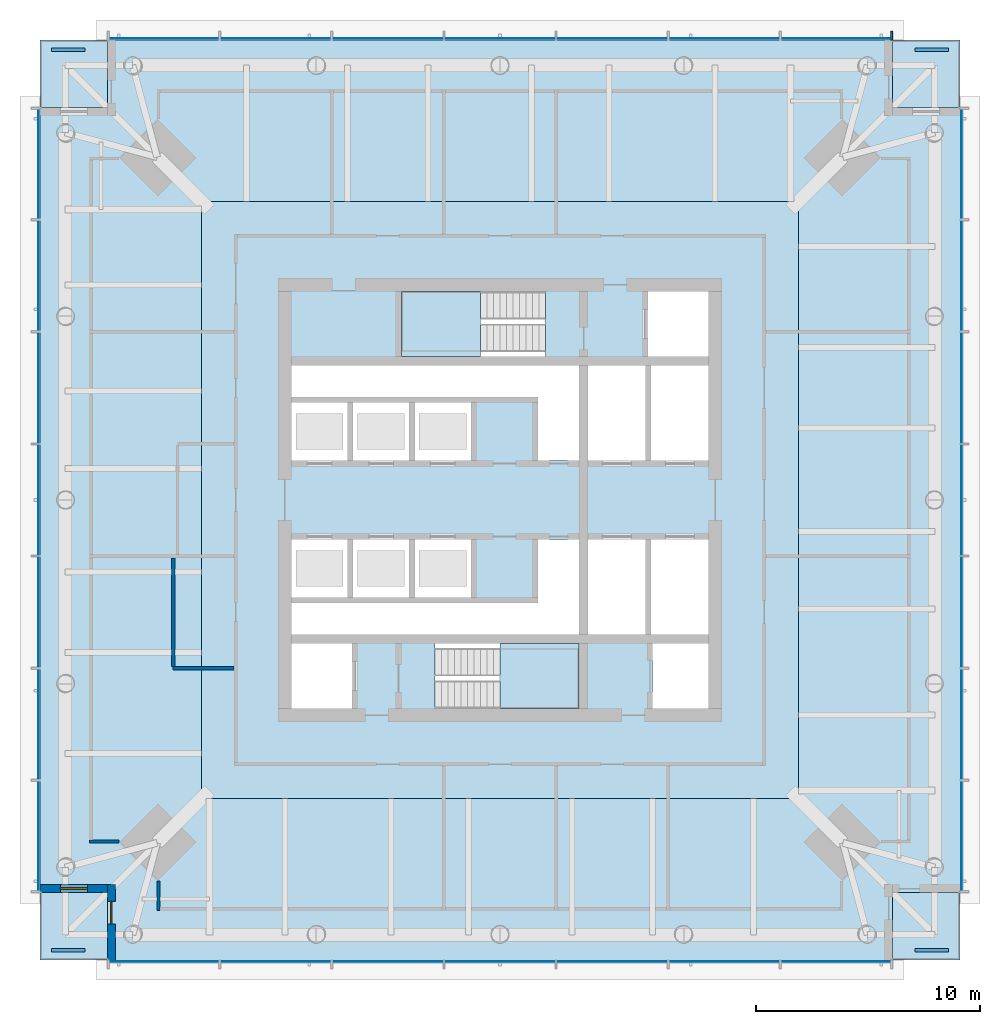
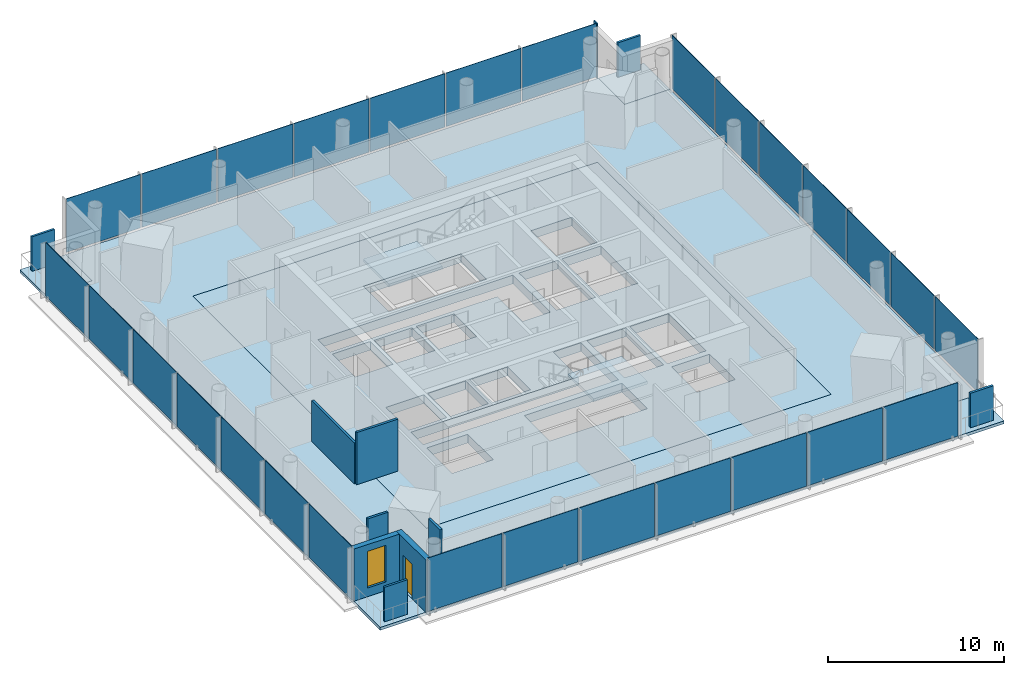
# One storey, part 3 of 12: 32 plates, 8 slabs, 6 walls, 1 door, 1 member, 1 window, 2 openings, 6 elements without a shape of their own.
"""IFC4 building model written with IfcOpenShell, lengths in metres."""

from ifc_helpers import new_model, si_unit, direction, frame, frame_2d, origin, origin_2d, place, context, subcontext, project, spatial, polyline, rectangle, outline, extrude, material, layer, layer_set, material_profile, profile_set, type_object, element, fill, aggregate, save


model = new_model("IFC4")

# Units and contexts
model_context = context("Model", 3, precision=1e-05, world=origin(), true_north=direction((0.0, 1.0)))
body_context = subcontext(model_context, "Body", "Model", "MODEL_VIEW")
ifc_project = project(units=[si_unit("LENGTHUNIT", "METRE"), si_unit("AREAUNIT", "SQUARE_METRE"), si_unit("VOLUMEUNIT", "CUBIC_METRE"), si_unit("PLANEANGLEUNIT", "RADIAN"), si_unit("MASSUNIT", "GRAM", prefix="KILO")], contexts=[model_context])

# Site, building, storey
site_placement = place(None, origin())
site = spatial("IfcSite", under=ifc_project, at=site_placement, CompositionType="ELEMENT")
building_placement = place(site_placement, origin())
building = spatial("IfcBuilding", under=site, at=building_placement, Name="Ostroluk Exchange", CompositionType="ELEMENT")
storey_placement = place(building_placement, frame((0.0, 0.0, 165.39990234375)))
storey = spatial("IfcBuildingStorey", under=building, at=storey_placement, Name="L42", CompositionType="ELEMENT", Elevation=165.39990234375)

# Curtain wall, member
ifc_material_1 = material(Name="Laminated clear glass", Category="glass")
curtain_wall_type = type_object("IfcCurtainWallType", Name="Office tower plant and sky lobby facade", PredefinedType="USERDEFINED", material=ifc_material_1)
curtain_wall_1_placement = place(storey_placement, origin())
curtain_wall_1 = element("IfcCurtainWall", 1, at=curtain_wall_1_placement, inside=storey, type_object=curtain_wall_type, Name="Office tower north facade L42", ObjectType="LOUVRED CURTAIN WALL", PredefinedType="USERDEFINED")
ifc_material_2 = material(Name="Aluminium mullion with limestone facing", Category="masonry")
ifc_material_profile = material_profile(ifc_material_2, rectangle(XDim=0.39990234375, YDim=0.080078125, at=origin_2d()), Name="Tracery mullion 80 x 400")
ifc_profile_set = profile_set([ifc_material_profile], Name="Aluminium mullion with limestone facing")
member_type = type_object("IfcMemberType", Name="Tracery mullion 80 x 400", PredefinedType="MULLION", material=ifc_profile_set)
member_placement = place(storey_placement, frame((62.4599609375, 66.699951171875, 0.0), z_axis=(0.0, 0.0, 1.0), x_axis=(0.0, -1.0, 0.0)))
member = element("IfcMember", 2, at=member_placement, type_object=member_type, Name="CW-P1 mullion 1", PredefinedType="MULLION", context=body_context, shape_type="SweptSolid", body=[
    extrude(rectangle(XDim=0.39990234375, YDim=0.080078125, at=origin_2d()), origin(), (0.0, 0.0, 1.0), 3.800048828125),
])

# Slabs
ifc_material_3 = material(Name="Concrete C35/45", Category="concrete")
ifc_layer_1 = layer(ifc_material_3, 0.199951171875)
ifc_layer_set_1 = layer_set([ifc_layer_1], Name="Balcony slab 200")
slab_type_1 = type_object("IfcSlabType", Name="Balcony slab 200", PredefinedType="USERDEFINED", material=ifc_layer_set_1)
slab_1_placement = place(storey_placement, frame((0.0, 0.0, -0.199951171875)))
element("IfcSlab", 3, at=slab_1_placement, inside=storey, type_object=slab_type_1, Name="Office tower SE corner balcony L42", ObjectType="BALCONY", PredefinedType="USERDEFINED", context=body_context, shape_type="SweptSolid", body=[
    extrude(outline(polyline([(62.5, 25.5), (65.5, 25.5), (65.5, 28.5), (62.5, 28.5), (62.5, 25.5)])), origin(), (0.0, 0.0, 1.0), 0.199951171875),
])
slab_2_placement = place(storey_placement, frame((0.0, 0.0, -0.199951171875)))
element("IfcSlab", 4, at=slab_2_placement, inside=storey, type_object=slab_type_1, Name="Office tower NE corner balcony L42", ObjectType="BALCONY", PredefinedType="USERDEFINED", context=body_context, shape_type="SweptSolid", body=[
    extrude(outline(polyline([(62.5, 63.5), (65.5, 63.5), (65.5, 66.5), (62.5, 66.5), (62.5, 63.5)])), origin(), (0.0, 0.0, 1.0), 0.199951171875),
])
slab_3_placement = place(storey_placement, frame((0.0, 0.0, -0.199951171875)))
element("IfcSlab", 5, at=slab_3_placement, inside=storey, type_object=slab_type_1, Name="Office tower NW corner balcony L42", ObjectType="BALCONY", PredefinedType="USERDEFINED", context=body_context, shape_type="SweptSolid", body=[
    extrude(outline(polyline([(24.5, 63.5), (27.5, 63.5), (27.5, 66.5), (24.5, 66.5), (24.5, 63.5)])), origin(), (0.0, 0.0, 1.0), 0.199951171875),
])
slab_4_placement = place(storey_placement, frame((0.0, 0.0, -0.199951171875)))
element("IfcSlab", 6, at=slab_4_placement, inside=storey, type_object=slab_type_1, Name="Office tower SW corner balcony L42", ObjectType="BALCONY", PredefinedType="USERDEFINED", context=body_context, shape_type="SweptSolid", body=[
    extrude(outline(polyline([(24.5, 25.5), (27.5, 25.5), (27.5, 28.5), (24.5, 28.5), (24.5, 25.5)])), origin(), (0.0, 0.0, 1.0), 0.199951171875),
])
ifc_material_4 = material(Name="Concrete C35/45", Category="concrete")
ifc_layer_2 = layer(ifc_material_4, 0.60009765625)
ifc_layer_set_2 = layer_set([ifc_layer_2], Name="Core transfer slab 600")
slab_type_2 = type_object("IfcSlabType", Name="Core transfer slab 600", PredefinedType="FLOOR", material=ifc_layer_set_2)
slab_5_placement = place(storey_placement, frame((0.0, 0.0, -0.599853515625)))
element("IfcSlab", 7, at=slab_5_placement, inside=storey, type_object=slab_type_2, Name="Office tower core transfer slab L42", PredefinedType="FLOOR", context=body_context, shape_type="SweptSolid", body=[
    extrude(outline(polyline([(31.699951171875, 32.699951171875), (58.300048828125, 32.699951171875), (58.300048828125, 59.300048828125), (31.699951171875, 59.300048828125), (31.699951171875, 32.699951171875)]), holes=[polyline([(35.699951171875, 36.699951171875), (38.39990234375, 36.699951171875), (38.39990234375, 39.60009765625), (35.699951171875, 39.60009765625), (35.699951171875, 36.699951171875)]), polyline([(42.110107421875, 36.699951171875), (48.530029296875, 36.699951171875), (48.530029296875, 39.60009765625), (42.110107421875, 39.60009765625), (42.110107421875, 36.699951171875)]), polyline([(51.800048828125, 36.699951171875), (54.300048828125, 36.699951171875), (54.300048828125, 39.60009765625), (51.800048828125, 39.60009765625), (51.800048828125, 36.699951171875)]), polyline([(40.60009765625, 52.39990234375), (47.02001953125, 52.39990234375), (47.02001953125, 55.300048828125), (40.60009765625, 55.300048828125), (40.60009765625, 52.39990234375)]), polyline([(51.60009765625, 52.39990234375), (54.300048828125, 52.39990234375), (54.300048828125, 55.300048828125), (51.60009765625, 55.300048828125), (51.60009765625, 52.39990234375)]), polyline([(35.699951171875, 47.75), (38.199951171875, 47.75), (38.199951171875, 50.35009765625), (35.699951171875, 50.35009765625), (35.699951171875, 47.75)]), polyline([(38.449951171875, 47.75), (40.949951171875, 47.75), (40.949951171875, 50.35009765625), (38.449951171875, 50.35009765625), (38.449951171875, 47.75)]), polyline([(41.199951171875, 47.75), (43.699951171875, 47.75), (43.699951171875, 50.35009765625), (41.199951171875, 50.35009765625), (41.199951171875, 47.75)]), polyline([(35.699951171875, 41.64990234375), (38.199951171875, 41.64990234375), (38.199951171875, 44.25), (35.699951171875, 44.25), (35.699951171875, 41.64990234375)]), polyline([(38.449951171875, 41.64990234375), (40.949951171875, 41.64990234375), (40.949951171875, 44.25), (38.449951171875, 44.25), (38.449951171875, 41.64990234375)]), polyline([(41.199951171875, 41.64990234375), (43.699951171875, 41.64990234375), (43.699951171875, 44.25), (41.199951171875, 44.25), (41.199951171875, 41.64990234375)]), polyline([(48.929931640625, 47.75), (51.489990234375, 47.75), (51.489990234375, 52.0), (48.929931640625, 52.0), (48.929931640625, 47.75)]), polyline([(51.739990234375, 47.75), (54.300048828125, 47.75), (54.300048828125, 52.0), (51.739990234375, 52.0), (51.739990234375, 47.75)]), polyline([(48.929931640625, 40.0), (51.489990234375, 40.0), (51.489990234375, 44.25), (48.929931640625, 44.25), (48.929931640625, 40.0)]), polyline([(51.739990234375, 40.0), (54.300048828125, 40.0), (54.300048828125, 44.25), (51.739990234375, 44.25), (51.739990234375, 40.0)]), polyline([(48.530029296875, 52.0), (48.530029296875, 47.75), (46.699951171875, 47.75), (46.699951171875, 50.60009765625), (35.699951171875, 50.60009765625), (35.699951171875, 52.0), (48.530029296875, 52.0)]), polyline([(35.699951171875, 40.0), (35.699951171875, 41.39990234375), (46.699951171875, 41.39990234375), (46.699951171875, 44.25), (48.530029296875, 44.25), (48.530029296875, 40.0), (35.699951171875, 40.0)])]), origin(), (0.0, 0.0, 1.0), 0.599853515625),
])

# Curtain wall, plates
curtain_wall_2_placement = place(storey_placement, origin())
curtain_wall_2 = element("IfcCurtainWall", 8, at=curtain_wall_2_placement, inside=storey, type_object=curtain_wall_type, Name="Office tower south facade L42", ObjectType="LOUVRED CURTAIN WALL", PredefinedType="USERDEFINED")
ifc_material_5 = material(Name="Laminated clear glass", Category="glass")
ifc_layer_3 = layer(ifc_material_5, 0.035888671875)
ifc_layer_set_3 = layer_set([ifc_layer_3], Name="Double laminated clear glazing 36")
plate_type_1 = type_object("IfcPlateType", Name="Double laminated clear glazing 36", PredefinedType="CURTAIN_PANEL", material=ifc_layer_set_3)
plate_1_placement = place(storey_placement, frame((30.02001953125, 25.425048828125, 0.080078125), z_axis=(0.0, 0.0, 1.0), x_axis=(1.0, 0.0, 0.0)))
plate_1 = element("IfcPlate", 9, at=plate_1_placement, type_object=plate_type_1, Name="CW-P1 panel 1.1", PredefinedType="CURTAIN_PANEL", context=body_context, shape_type="SweptSolid", body=[
    extrude(rectangle(XDim=4.8798828125, YDim=0.035888671875, at=origin_2d()), origin(), (0.0, 0.0, 1.0), 3.719970703125),
])
plate_2_placement = place(storey_placement, frame((35.0, 25.425048828125, 0.080078125), z_axis=(0.0, 0.0, 1.0), x_axis=(1.0, 0.0, 0.0)))
plate_2 = element("IfcPlate", 10, at=plate_2_placement, type_object=plate_type_1, Name="CW-P1 panel 2.1", PredefinedType="CURTAIN_PANEL", context=body_context, shape_type="SweptSolid", body=[
    extrude(rectangle(XDim=4.919921875, YDim=0.035888671875, at=origin_2d()), origin(), (0.0, 0.0, 1.0), 3.719970703125),
])
plate_3_placement = place(storey_placement, frame((40.0, 25.425048828125, 0.080078125), z_axis=(0.0, 0.0, 1.0), x_axis=(1.0, 0.0, 0.0)))
plate_3 = element("IfcPlate", 11, at=plate_3_placement, type_object=plate_type_1, Name="CW-P1 panel 3.1", PredefinedType="CURTAIN_PANEL", context=body_context, shape_type="SweptSolid", body=[
    extrude(rectangle(XDim=4.919921875, YDim=0.035888671875, at=origin_2d()), origin(), (0.0, 0.0, 1.0), 3.719970703125),
])
plate_4_placement = place(storey_placement, frame((45.0, 25.425048828125, 0.080078125), z_axis=(0.0, 0.0, 1.0), x_axis=(1.0, 0.0, 0.0)))
plate_4 = element("IfcPlate", 12, at=plate_4_placement, type_object=plate_type_1, Name="CW-P1 panel 4.1", PredefinedType="CURTAIN_PANEL", context=body_context, shape_type="SweptSolid", body=[
    extrude(rectangle(XDim=4.919921875, YDim=0.035888671875, at=origin_2d()), origin(), (0.0, 0.0, 1.0), 3.719970703125),
])
plate_5_placement = place(storey_placement, frame((50.0, 25.425048828125, 0.080078125), z_axis=(0.0, 0.0, 1.0), x_axis=(1.0, 0.0, 0.0)))
plate_5 = element("IfcPlate", 13, at=plate_5_placement, type_object=plate_type_1, Name="CW-P1 panel 5.1", PredefinedType="CURTAIN_PANEL", context=body_context, shape_type="SweptSolid", body=[
    extrude(rectangle(XDim=4.919921875, YDim=0.035888671875, at=origin_2d()), origin(), (0.0, 0.0, 1.0), 3.719970703125),
])
plate_6_placement = place(storey_placement, frame((55.0, 25.425048828125, 0.080078125), z_axis=(0.0, 0.0, 1.0), x_axis=(1.0, 0.0, 0.0)))
plate_6 = element("IfcPlate", 14, at=plate_6_placement, type_object=plate_type_1, Name="CW-P1 panel 6.1", PredefinedType="CURTAIN_PANEL", context=body_context, shape_type="SweptSolid", body=[
    extrude(rectangle(XDim=4.919921875, YDim=0.035888671875, at=origin_2d()), origin(), (0.0, 0.0, 1.0), 3.719970703125),
])
plate_7_placement = place(storey_placement, frame((59.97998046875, 25.425048828125, 0.080078125), z_axis=(0.0, 0.0, 1.0), x_axis=(1.0, 0.0, 0.0)))
plate_7 = element("IfcPlate", 15, at=plate_7_placement, type_object=plate_type_1, Name="CW-P1 panel 7.1", PredefinedType="CURTAIN_PANEL", context=body_context, shape_type="SweptSolid", body=[
    extrude(rectangle(XDim=4.8798828125, YDim=0.035888671875, at=origin_2d()), origin(), (0.0, 0.0, 1.0), 3.719970703125),
])
aggregate(curtain_wall_2, [plate_1, plate_2, plate_3, plate_4, plate_5, plate_6, plate_7])

curtain_wall_3_placement = place(storey_placement, origin())
curtain_wall_3 = element("IfcCurtainWall", 16, at=curtain_wall_3_placement, inside=storey, type_object=curtain_wall_type, Name="Office tower east facade L42", ObjectType="LOUVRED CURTAIN WALL", PredefinedType="USERDEFINED")
plate_8_placement = place(storey_placement, frame((65.574951171875, 31.02001953125, 0.080078125), z_axis=(0.0, 0.0, 1.0), x_axis=(0.0, 1.0, 0.0)))
plate_8 = element("IfcPlate", 17, at=plate_8_placement, type_object=plate_type_1, Name="CW-P1 panel 1.1", PredefinedType="CURTAIN_PANEL", context=body_context, shape_type="SweptSolid", body=[
    extrude(rectangle(XDim=4.8798828125, YDim=0.035888671875, at=origin_2d()), origin(), (0.0, 0.0, 1.0), 3.719970703125),
])
plate_9_placement = place(storey_placement, frame((65.574951171875, 36.0, 0.080078125), z_axis=(0.0, 0.0, 1.0), x_axis=(0.0, 1.0, 0.0)))
plate_9 = element("IfcPlate", 18, at=plate_9_placement, type_object=plate_type_1, Name="CW-P1 panel 2.1", PredefinedType="CURTAIN_PANEL", context=body_context, shape_type="SweptSolid", body=[
    extrude(rectangle(XDim=4.919921875, YDim=0.035888671875, at=origin_2d()), origin(), (0.0, 0.0, 1.0), 3.719970703125),
])
plate_10_placement = place(storey_placement, frame((65.574951171875, 41.0, 0.080078125), z_axis=(0.0, 0.0, 1.0), x_axis=(0.0, 1.0, 0.0)))
plate_10 = element("IfcPlate", 19, at=plate_10_placement, type_object=plate_type_1, Name="CW-P1 panel 3.1", PredefinedType="CURTAIN_PANEL", context=body_context, shape_type="SweptSolid", body=[
    extrude(rectangle(XDim=4.919921875, YDim=0.035888671875, at=origin_2d()), origin(), (0.0, 0.0, 1.0), 3.719970703125),
])
plate_11_placement = place(storey_placement, frame((65.574951171875, 46.0, 0.080078125), z_axis=(0.0, 0.0, 1.0), x_axis=(0.0, 1.0, 0.0)))
plate_11 = element("IfcPlate", 20, at=plate_11_placement, type_object=plate_type_1, Name="CW-P1 panel 4.1", PredefinedType="CURTAIN_PANEL", context=body_context, shape_type="SweptSolid", body=[
    extrude(rectangle(XDim=4.919921875, YDim=0.035888671875, at=origin_2d()), origin(), (0.0, 0.0, 1.0), 3.719970703125),
])
plate_12_placement = place(storey_placement, frame((65.574951171875, 51.0, 0.080078125), z_axis=(0.0, 0.0, 1.0), x_axis=(0.0, 1.0, 0.0)))
plate_12 = element("IfcPlate", 21, at=plate_12_placement, type_object=plate_type_1, Name="CW-P1 panel 5.1", PredefinedType="CURTAIN_PANEL", context=body_context, shape_type="SweptSolid", body=[
    extrude(rectangle(XDim=4.919921875, YDim=0.035888671875, at=origin_2d()), origin(), (0.0, 0.0, 1.0), 3.719970703125),
])
plate_13_placement = place(storey_placement, frame((65.574951171875, 56.0, 0.080078125), z_axis=(0.0, 0.0, 1.0), x_axis=(0.0, 1.0, 0.0)))
plate_13 = element("IfcPlate", 22, at=plate_13_placement, type_object=plate_type_1, Name="CW-P1 panel 6.1", PredefinedType="CURTAIN_PANEL", context=body_context, shape_type="SweptSolid", body=[
    extrude(rectangle(XDim=4.919921875, YDim=0.035888671875, at=origin_2d()), origin(), (0.0, 0.0, 1.0), 3.719970703125),
])
plate_14_placement = place(storey_placement, frame((65.574951171875, 60.97998046875, 0.080078125), z_axis=(0.0, 0.0, 1.0), x_axis=(0.0, 1.0, 0.0)))
plate_14 = element("IfcPlate", 23, at=plate_14_placement, type_object=plate_type_1, Name="CW-P1 panel 7.1", PredefinedType="CURTAIN_PANEL", context=body_context, shape_type="SweptSolid", body=[
    extrude(rectangle(XDim=4.8798828125, YDim=0.035888671875, at=origin_2d()), origin(), (0.0, 0.0, 1.0), 3.719970703125),
])
aggregate(curtain_wall_3, [plate_8, plate_9, plate_10, plate_11, plate_12, plate_13, plate_14])

# Plate
plate_15_placement = place(storey_placement, frame((59.97998046875, 66.574951171875, 0.080078125), z_axis=(0.0, 0.0, 1.0), x_axis=(-1.0, 0.0, 0.0)))
plate_15 = element("IfcPlate", 24, at=plate_15_placement, type_object=plate_type_1, Name="CW-P1 panel 1.1", PredefinedType="CURTAIN_PANEL", context=body_context, shape_type="SweptSolid", body=[
    extrude(rectangle(XDim=4.8798828125, YDim=0.035888671875, at=origin_2d()), origin(), (0.0, 0.0, 1.0), 3.719970703125),
])

plate_16_placement = place(storey_placement, frame((55.0, 66.574951171875, 0.080078125), z_axis=(0.0, 0.0, 1.0), x_axis=(-1.0, 0.0, 0.0)))
plate_16 = element("IfcPlate", 25, at=plate_16_placement, type_object=plate_type_1, Name="CW-P1 panel 2.1", PredefinedType="CURTAIN_PANEL", context=body_context, shape_type="SweptSolid", body=[
    extrude(rectangle(XDim=4.919921875, YDim=0.035888671875, at=origin_2d()), origin(), (0.0, 0.0, 1.0), 3.719970703125),
])

plate_17_placement = place(storey_placement, frame((50.0, 66.574951171875, 0.080078125), z_axis=(0.0, 0.0, 1.0), x_axis=(-1.0, 0.0, 0.0)))
plate_17 = element("IfcPlate", 26, at=plate_17_placement, type_object=plate_type_1, Name="CW-P1 panel 3.1", PredefinedType="CURTAIN_PANEL", context=body_context, shape_type="SweptSolid", body=[
    extrude(rectangle(XDim=4.919921875, YDim=0.035888671875, at=origin_2d()), origin(), (0.0, 0.0, 1.0), 3.719970703125),
])

plate_18_placement = place(storey_placement, frame((45.0, 66.574951171875, 0.080078125), z_axis=(0.0, 0.0, 1.0), x_axis=(-1.0, 0.0, 0.0)))
plate_18 = element("IfcPlate", 27, at=plate_18_placement, type_object=plate_type_1, Name="CW-P1 panel 4.1", PredefinedType="CURTAIN_PANEL", context=body_context, shape_type="SweptSolid", body=[
    extrude(rectangle(XDim=4.919921875, YDim=0.035888671875, at=origin_2d()), origin(), (0.0, 0.0, 1.0), 3.719970703125),
])

plate_19_placement = place(storey_placement, frame((40.0, 66.574951171875, 0.080078125), z_axis=(0.0, 0.0, 1.0), x_axis=(-1.0, 0.0, 0.0)))
plate_19 = element("IfcPlate", 28, at=plate_19_placement, type_object=plate_type_1, Name="CW-P1 panel 5.1", PredefinedType="CURTAIN_PANEL", context=body_context, shape_type="SweptSolid", body=[
    extrude(rectangle(XDim=4.919921875, YDim=0.035888671875, at=origin_2d()), origin(), (0.0, 0.0, 1.0), 3.719970703125),
])

plate_20_placement = place(storey_placement, frame((35.0, 66.574951171875, 0.080078125), z_axis=(0.0, 0.0, 1.0), x_axis=(-1.0, 0.0, 0.0)))
plate_20 = element("IfcPlate", 29, at=plate_20_placement, type_object=plate_type_1, Name="CW-P1 panel 6.1", PredefinedType="CURTAIN_PANEL", context=body_context, shape_type="SweptSolid", body=[
    extrude(rectangle(XDim=4.919921875, YDim=0.035888671875, at=origin_2d()), origin(), (0.0, 0.0, 1.0), 3.719970703125),
])

plate_21_placement = place(storey_placement, frame((30.02001953125, 66.574951171875, 0.080078125), z_axis=(0.0, 0.0, 1.0), x_axis=(-1.0, 0.0, 0.0)))
plate_21 = element("IfcPlate", 30, at=plate_21_placement, type_object=plate_type_1, Name="CW-P1 panel 7.1", PredefinedType="CURTAIN_PANEL", context=body_context, shape_type="SweptSolid", body=[
    extrude(rectangle(XDim=4.8798828125, YDim=0.035888671875, at=origin_2d()), origin(), (0.0, 0.0, 1.0), 3.719970703125),
])

aggregate(curtain_wall_1, [member, plate_15, plate_16, plate_17, plate_18, plate_19, plate_20, plate_21])

# Curtain wall, plates
curtain_wall_4_placement = place(storey_placement, origin())
curtain_wall_4 = element("IfcCurtainWall", 31, at=curtain_wall_4_placement, inside=storey, type_object=curtain_wall_type, Name="Office tower west facade L42", ObjectType="LOUVRED CURTAIN WALL", PredefinedType="USERDEFINED")
plate_22_placement = place(storey_placement, frame((24.425048828125, 60.97998046875, 0.080078125), z_axis=(0.0, 0.0, 1.0), x_axis=(0.0, -1.0, 0.0)))
plate_22 = element("IfcPlate", 32, at=plate_22_placement, type_object=plate_type_1, Name="CW-P1 panel 1.1", PredefinedType="CURTAIN_PANEL", context=body_context, shape_type="SweptSolid", body=[
    extrude(rectangle(XDim=4.8798828125, YDim=0.035888671875, at=origin_2d()), origin(), (0.0, 0.0, 1.0), 3.719970703125),
])
plate_23_placement = place(storey_placement, frame((24.425048828125, 56.0, 0.080078125), z_axis=(0.0, 0.0, 1.0), x_axis=(0.0, -1.0, 0.0)))
plate_23 = element("IfcPlate", 33, at=plate_23_placement, type_object=plate_type_1, Name="CW-P1 panel 2.1", PredefinedType="CURTAIN_PANEL", context=body_context, shape_type="SweptSolid", body=[
    extrude(rectangle(XDim=4.919921875, YDim=0.035888671875, at=origin_2d()), origin(), (0.0, 0.0, 1.0), 3.719970703125),
])
plate_24_placement = place(storey_placement, frame((24.425048828125, 51.0, 0.080078125), z_axis=(0.0, 0.0, 1.0), x_axis=(0.0, -1.0, 0.0)))
plate_24 = element("IfcPlate", 34, at=plate_24_placement, type_object=plate_type_1, Name="CW-P1 panel 3.1", PredefinedType="CURTAIN_PANEL", context=body_context, shape_type="SweptSolid", body=[
    extrude(rectangle(XDim=4.919921875, YDim=0.035888671875, at=origin_2d()), origin(), (0.0, 0.0, 1.0), 3.719970703125),
])
plate_25_placement = place(storey_placement, frame((24.425048828125, 46.0, 0.080078125), z_axis=(0.0, 0.0, 1.0), x_axis=(0.0, -1.0, 0.0)))
plate_25 = element("IfcPlate", 35, at=plate_25_placement, type_object=plate_type_1, Name="CW-P1 panel 4.1", PredefinedType="CURTAIN_PANEL", context=body_context, shape_type="SweptSolid", body=[
    extrude(rectangle(XDim=4.919921875, YDim=0.035888671875, at=origin_2d()), origin(), (0.0, 0.0, 1.0), 3.719970703125),
])
plate_26_placement = place(storey_placement, frame((24.425048828125, 41.0, 0.080078125), z_axis=(0.0, 0.0, 1.0), x_axis=(0.0, -1.0, 0.0)))
plate_26 = element("IfcPlate", 36, at=plate_26_placement, type_object=plate_type_1, Name="CW-P1 panel 5.1", PredefinedType="CURTAIN_PANEL", context=body_context, shape_type="SweptSolid", body=[
    extrude(rectangle(XDim=4.919921875, YDim=0.035888671875, at=origin_2d()), origin(), (0.0, 0.0, 1.0), 3.719970703125),
])
plate_27_placement = place(storey_placement, frame((24.425048828125, 36.0, 0.080078125), z_axis=(0.0, 0.0, 1.0), x_axis=(0.0, -1.0, 0.0)))
plate_27 = element("IfcPlate", 37, at=plate_27_placement, type_object=plate_type_1, Name="CW-P1 panel 6.1", PredefinedType="CURTAIN_PANEL", context=body_context, shape_type="SweptSolid", body=[
    extrude(rectangle(XDim=4.919921875, YDim=0.035888671875, at=origin_2d()), origin(), (0.0, 0.0, 1.0), 3.719970703125),
])
plate_28_placement = place(storey_placement, frame((24.425048828125, 31.02001953125, 0.080078125), z_axis=(0.0, 0.0, 1.0), x_axis=(0.0, -1.0, 0.0)))
plate_28 = element("IfcPlate", 38, at=plate_28_placement, type_object=plate_type_1, Name="CW-P1 panel 7.1", PredefinedType="CURTAIN_PANEL", context=body_context, shape_type="SweptSolid", body=[
    extrude(rectangle(XDim=4.8798828125, YDim=0.035888671875, at=origin_2d()), origin(), (0.0, 0.0, 1.0), 3.719970703125),
])
aggregate(curtain_wall_4, [plate_22, plate_23, plate_24, plate_25, plate_26, plate_27, plate_28])

# Plates
ifc_material_6 = material(Name="Steel S355 trellis with planting", Category="steel")
ifc_layer_4 = layer(ifc_material_6, 0.14990234375)
ifc_layer_set_4 = layer_set([ifc_layer_4], Name="Planted screen 150")
plate_type_2 = type_object("IfcPlateType", Name="Planted screen 150", PredefinedType="USERDEFINED", material=ifc_layer_set_4)
for number, where, z_axis, x_axis, name in (
    (39, (64.25, 25.925048828125, 0.000244140625), (0.0, 0.0, 1.0), (1.0, 0.0, 0.0), "Office tower SE planted screen L42"),
    (40, (64.25, 66.074951171875, 0.000244140625), (0.0, 0.0, 1.0), (1.0, 0.0, 0.0), "Office tower NE planted screen L42"),
    (41, (25.75, 66.074951171875, 0.000244140625), (0.0, 0.0, 1.0), (1.0, 0.0, 0.0), "Office tower NW planted screen L42"),
    (42, (25.75, 25.925048828125, 0.000244140625), (0.0, 0.0, 1.0), (1.0, 0.0, 0.0), "Office tower SW planted screen L42"),
):
    element("IfcPlate", number, at=place(storey_placement, frame(where, z_axis=z_axis, x_axis=x_axis)), inside=storey, type_object=plate_type_2, Name=name, ObjectType="PLANTED SCREEN", PredefinedType="USERDEFINED", context=body_context, shape_type="SweptSolid", body=[
        extrude(rectangle(XDim=1.5, YDim=0.14990234375, at=origin_2d()), origin(), (0.0, 0.0, 1.0), 2.39990234375),
    ])

# Stair, slab
ifc_material_7 = material(Name="Concrete C30/37", Category="concrete")
stair_type = type_object("IfcStairType", Name="Exit stair half turn 3800", PredefinedType="HALF_TURN_STAIR", material=ifc_material_7)
stair_1_placement = place(storey_placement, origin())
stair_1 = element("IfcStair", 43, at=stair_1_placement, inside=storey, type_object=stair_type, Name="Stair T1-S1 L42", PredefinedType="HALF_TURN_STAIR")
ifc_material_8 = material(Name="Concrete C30/37", Category="concrete")
ifc_layer_5 = layer(ifc_material_8, 0.199951171875)
ifc_layer_set_5 = layer_set([ifc_layer_5], Name="Stair landing 200")
slab_type_3 = type_object("IfcSlabType", Name="Stair landing 200", PredefinedType="LANDING", material=ifc_layer_set_5)
slab_6_placement = place(storey_placement, frame((0.0, 0.0, 1.7001953125)))
slab_6 = element("IfcSlab", 44, at=slab_6_placement, type_object=slab_type_3, Name="T1-S1 landing 1", PredefinedType="LANDING", context=body_context, shape_type="SweptSolid", body=[
    extrude(outline(polyline([(45.0, 36.699951171875), (45.0, 39.60009765625), (48.530029296875, 39.60009765625), (48.530029296875, 36.699951171875), (45.0, 36.699951171875)])), origin(), (0.0, 0.0, 1.0), 0.199951171875),
])
aggregate(stair_1, [slab_6])

stair_2_placement = place(storey_placement, origin())
stair_2 = element("IfcStair", 45, at=stair_2_placement, inside=storey, type_object=stair_type, Name="Stair T1-S2 L42", PredefinedType="HALF_TURN_STAIR")
slab_7_placement = place(storey_placement, frame((0.0, 0.0, 1.7001953125)))
slab_7 = element("IfcSlab", 46, at=slab_7_placement, type_object=slab_type_3, Name="T1-S2 landing 1", PredefinedType="LANDING", context=body_context, shape_type="SweptSolid", body=[
    extrude(outline(polyline([(44.1298828125, 52.39990234375), (44.1298828125, 55.300048828125), (40.60009765625, 55.300048828125), (40.60009765625, 52.39990234375), (44.1298828125, 52.39990234375)])), origin(), (0.0, 0.0, 1.0), 0.199951171875),
])
aggregate(stair_2, [slab_7])

# Slab
ifc_material_9 = material(Name="Concrete C35/45", Category="concrete")
ifc_layer_6 = layer(ifc_material_9, 0.199951171875)
ifc_layer_set_6 = layer_set([ifc_layer_6], Name="Tower floor slab 200")
slab_type_4 = type_object("IfcSlabType", Name="Tower floor slab 200", PredefinedType="FLOOR", material=ifc_layer_set_6)
slab_8_placement = place(storey_placement, frame((0.0, 0.0, -0.199951171875)))
element("IfcSlab", 47, at=slab_8_placement, inside=storey, type_object=slab_type_4, Name="Office tower floor slab L42", PredefinedType="FLOOR", context=body_context, shape_type="SweptSolid", body=[
    extrude(outline(polyline([(27.5, 25.5), (62.5, 25.5), (62.5, 28.5), (65.5, 28.5), (65.5, 63.5), (62.5, 63.5), (62.5, 66.5), (27.5, 66.5), (27.5, 63.5), (24.5, 63.5), (24.5, 28.5), (27.5, 28.5), (27.5, 25.5)]), holes=[polyline([(31.699951171875, 32.699951171875), (58.300048828125, 32.699951171875), (58.300048828125, 59.300048828125), (31.699951171875, 59.300048828125), (31.699951171875, 32.699951171875)])]), origin(), (0.0, 0.0, 1.0), 0.199951171875),
])

# Wall, opening, door
ifc_material_10 = material(Name="Limestone", Category="masonry")
ifc_layer_7 = layer(ifc_material_10, 0.35009765625)
ifc_layer_set_7 = layer_set([ifc_layer_7], Name="Limestone facade wall 350")
wall_type_1 = type_object("IfcWallType", Name="Limestone facade wall 350", PredefinedType="SOLIDWALL", material=ifc_layer_set_7)
wall_1_placement = place(storey_placement, frame((27.675048828125, 25.5, 0.0), z_axis=(0.0, 0.0, 1.0), x_axis=(0.0, 1.0, 0.0)))
wall_1 = element("IfcWall", 48, at=wall_1_placement, inside=storey, type_object=wall_type_1, Name="Office tower SW corner wall L42 a", PredefinedType="SOLIDWALL", context=body_context, shape_type="SweptSolid", body=[
    extrude(rectangle(XDim=3.35009765625, YDim=0.35009765625, at=frame_2d((1.675048828125, 0.0))), origin(), (0.0, 0.0, 1.0), 3.6201171875),
])
opening_1_placement = place(wall_1_placement, frame((1.60009765625, 0.0, 0.0)))
opening_1 = element("IfcOpeningElement", 49, at=opening_1_placement, cuts=wall_1, Name="Opening D-B1", PredefinedType="OPENING", context=body_context, shape_type="SweptSolid", body=[
    extrude(rectangle(XDim=1.0, YDim=2.39990234375, at=frame_2d((0.5, 1.199951171875))), frame((0.0, 0.18505859375, 0.0), z_axis=(0.0, -1.0, 0.0), x_axis=(1.0, 0.0, 0.0)), (0.0, 0.0, 1.0), 0.3701171875),
])
ifc_material_11 = material(Name="Bronze framed glazed door", Category="aluminium")
door_type = type_object("IfcDoorType", Name="Balcony door 1000 x 2400", OperationType="SINGLE_SWING_LEFT", PredefinedType="DOOR", material=ifc_material_11)
door_placement = place(opening_1_placement, origin())
door = element("IfcDoor", 50, at=door_placement, inside=storey, type_object=door_type, Name="Office tower SW balcony door L42", OperationType="SINGLE_SWING_RIGHT", OverallHeight=2.39990234375, OverallWidth=1.0, PredefinedType="DOOR", context=body_context, shape_type="SweptSolid", body=[
    extrude(rectangle(XDim=1.0, YDim=2.39990234375, at=frame_2d((0.5, 1.199951171875))), frame((0.0, 0.02490234375, 0.0), z_axis=(0.0, -1.0, 0.0), x_axis=(1.0, 0.0, 0.0)), (0.0, 0.0, 1.0), 0.050048828125),
])
fill(opening_1, door)

# Wall, opening, window
wall_2_placement = place(storey_placement, frame((27.5, 28.675048828125, 0.0), z_axis=(0.0, 0.0, 1.0), x_axis=(-1.0, 0.0, 0.0)))
wall_2 = element("IfcWall", 51, at=wall_2_placement, inside=storey, type_object=wall_type_1, Name="Office tower SW corner wall L42 b", PredefinedType="SOLIDWALL", context=body_context, shape_type="SweptSolid", body=[
    extrude(rectangle(XDim=3.0, YDim=0.35009765625, at=frame_2d((1.5, 0.0))), origin(), (0.0, 0.0, 1.0), 3.6201171875),
])
opening_2_placement = place(wall_2_placement, frame((0.89990234375, 0.0, 0.60009765625)))
opening_2 = element("IfcOpeningElement", 52, at=opening_2_placement, cuts=wall_2, Name="Opening WN-L1", PredefinedType="OPENING", context=body_context, shape_type="SweptSolid", body=[
    extrude(rectangle(XDim=1.199951171875, YDim=2.550048828125, at=frame_2d((0.60009765625, 1.27490234375))), frame((0.0, 0.18505859375, 0.0), z_axis=(0.0, -1.0, 0.0), x_axis=(1.0, 0.0, 0.0)), (0.0, 0.0, 1.0), 0.3701171875),
])
ifc_material_12 = material(Name="Laminated clear glass", Category="glass")
window_type = type_object("IfcWindowType", Name="Lancet window 1200 x 2550", PartitioningType="SINGLE_PANEL", PredefinedType="WINDOW", material=ifc_material_12)
window_placement = place(opening_2_placement, origin())
window = element("IfcWindow", 53, at=window_placement, inside=storey, type_object=window_type, Name="Office tower SW lancet window L42", OverallHeight=2.550048828125, OverallWidth=1.199951171875, PartitioningType="SINGLE_PANEL", PredefinedType="WINDOW", context=body_context, shape_type="SweptSolid", body=[
    extrude(rectangle(XDim=1.199951171875, YDim=2.550048828125, at=frame_2d((0.60009765625, 1.27490234375))), frame((0.0, 0.030029296875, 0.0), z_axis=(0.0, -1.0, 0.0), x_axis=(1.0, 0.0, 0.0)), (0.0, 0.0, 1.0), 0.06005859375),
])
fill(opening_2, window)

# Walls
ifc_material_13 = material(Name="Gypsum plasterboard partition", Category="gypsum")
ifc_layer_8 = layer(ifc_material_13, 0.14990234375)
ifc_layer_set_8 = layer_set([ifc_layer_8], Name="Plasterboard partition 150")
wall_type_2 = type_object("IfcWallType", Name="Plasterboard partition 150", PredefinedType="PARTITIONING", material=ifc_layer_set_8)
wall_3_placement = place(storey_placement, frame((33.14990234375, 38.5, 0.0), z_axis=(0.0, 0.0, 1.0), x_axis=(-1.0, 0.0, 0.0)))
element("IfcWall", 54, at=wall_3_placement, inside=storey, type_object=wall_type_2, Name="Partition", PredefinedType="PARTITIONING", context=body_context, shape_type="SweptSolid", body=[
    extrude(rectangle(XDim=2.724853515625, YDim=0.14990234375, at=frame_2d((1.3623046875, 0.0))), origin(), (0.0, 0.0, 1.0), 3.6201171875),
])
for number, where, z_axis, x_axis, name in (
    (55, (29.77490234375, 27.699951171875, 0.0), (0.0, 0.0, 1.0), (0.0, 1.0, 0.0), "Truss zone partition"),
    (56, (28.017333984375, 30.77490234375, 0.0), (0.0, 0.0, 1.0), (-1.0, 0.0, 0.0), "Truss zone partition"),
):
    element("IfcWall", number, at=place(storey_placement, frame(where, z_axis=z_axis, x_axis=x_axis)), inside=storey, type_object=wall_type_2, Name=name, PredefinedType="PARTITIONING", context=body_context, shape_type="SweptSolid", body=[
        extrude(rectangle(XDim=1.3173828125, YDim=0.14990234375, at=frame_2d((0.65869140625, 0.0))), origin(), (0.0, 0.0, 1.0), 3.6201171875),
    ])
ifc_material_14 = material(Name="Gypsum plasterboard partition, moisture resistant", Category="gypsum")
ifc_layer_9 = layer(ifc_material_14, 0.14990234375)
ifc_layer_set_9 = layer_set([ifc_layer_9], Name="Plasterboard toilet partition 150")
wall_type_3 = type_object("IfcWallType", Name="Plasterboard toilet partition 150", PredefinedType="PARTITIONING", material=ifc_layer_set_9)
wall_4_placement = place(storey_placement, frame((30.425048828125, 43.425048828125, 0.0), z_axis=(0.0, 0.0, 1.0), x_axis=(0.0, -1.0, 0.0)))
element("IfcWall", 57, at=wall_4_placement, inside=storey, type_object=wall_type_3, Name="Toilet partition", PredefinedType="PARTITIONING", context=body_context, shape_type="SweptSolid", body=[
    extrude(rectangle(XDim=4.85009765625, YDim=0.14990234375, at=frame_2d((2.425048828125, 0.0))), origin(), (0.0, 0.0, 1.0), 2.85009765625),
])

save(model, "model.ifc")
